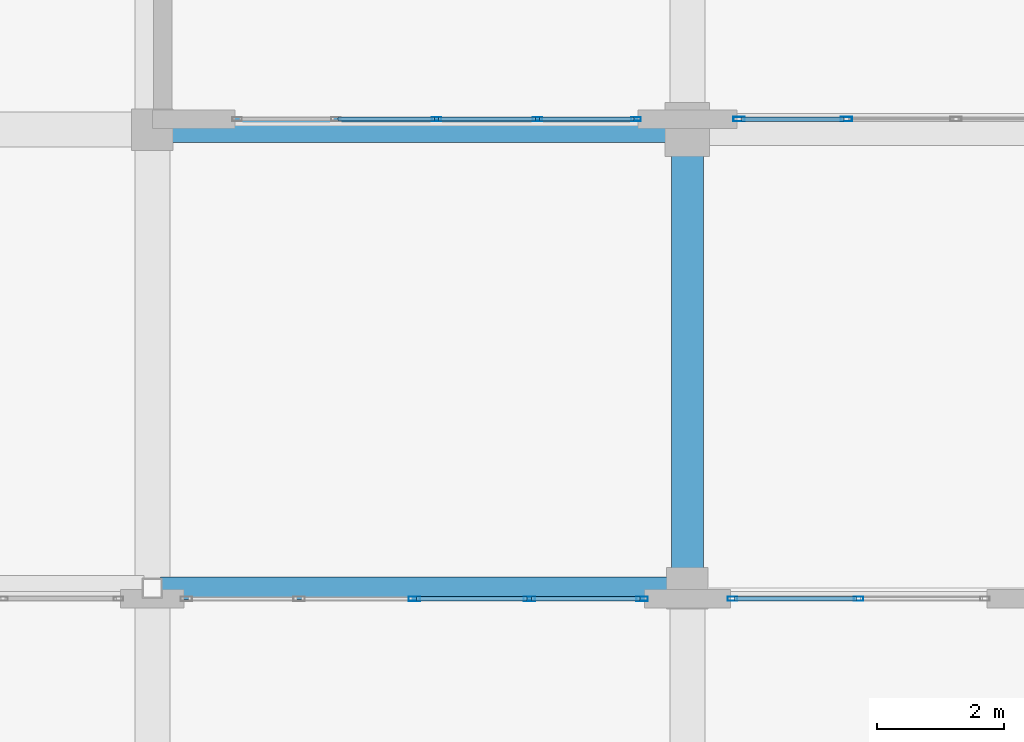
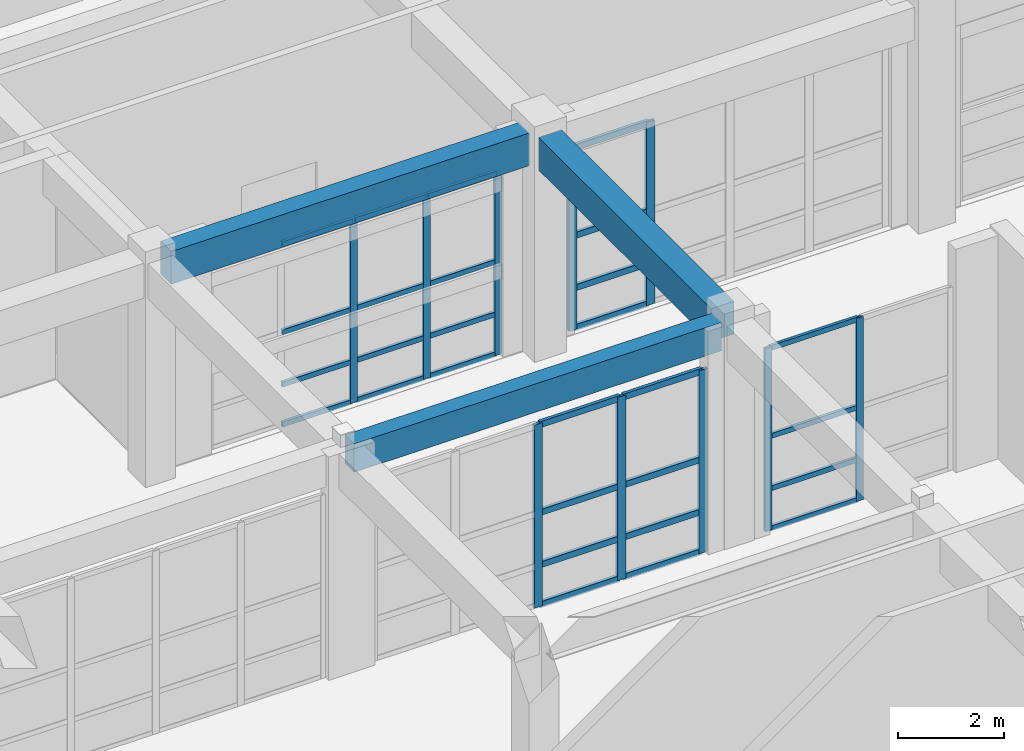
# One storey, part 77 of 148: 38 members, 3 beams, 4 elements without a shape of their own.
"""IFC4 building model written with IfcOpenShell, lengths in metres."""

from ifc_helpers import new_model, si_unit, direction, frame, origin, origin_2d, place, context, subcontext, project, spatial, rectangle, hollow_rectangle, extrude, material, layer, layer_set, material_profile, profile_set, type_object, element, aggregate, save


model = new_model("IFC4")

# Units and contexts
model_context = context("Model", 3, precision=1e-05, world=origin(), true_north=direction((0.0, 1.0)))
body_context = subcontext(model_context, "Body", "Model", "MODEL_VIEW")
ifc_project = project(units=[si_unit("LENGTHUNIT", "METRE"), si_unit("AREAUNIT", "SQUARE_METRE"), si_unit("VOLUMEUNIT", "CUBIC_METRE"), si_unit("PLANEANGLEUNIT", "RADIAN"), si_unit("MASSUNIT", "GRAM", prefix="KILO")], contexts=[model_context])

# Site, building, storey
site_placement = place(None, origin())
site = spatial("IfcSite", under=ifc_project, at=site_placement, CompositionType="ELEMENT")
building_placement = place(site_placement, origin())
building = spatial("IfcBuilding", under=site, at=building_placement, Name="Quendrovan Civic Courthouse", CompositionType="ELEMENT")
storey_placement = place(building_placement, origin())
storey = spatial("IfcBuildingStorey", under=building, at=storey_placement, Name="L01", CompositionType="ELEMENT", Elevation=0.0)

# Beams
ifc_material_1 = material(Name="Concrete C40/50", Category="concrete")
ifc_material_profile_1 = material_profile(ifc_material_1, rectangle(XDim=0.35009765625, YDim=0.64990234375, at=origin_2d()), Name="RC-BM-350x650")
ifc_profile_set_1 = profile_set([ifc_material_profile_1], Name="Concrete C40/50")
beam_type_1 = type_object("IfcBeamType", Name="BM-RC650B", PredefinedType="BEAM", material=ifc_profile_set_1)
beam_1_placement = place(storey_placement, frame((100.929931640625, 80.39990234375, 4.794921875), z_axis=(1.0, 0.0, 0.0), x_axis=(0.0, 1.0, 0.0)))
element("IfcBeam", 1, at=beam_1_placement, inside=storey, type_object=beam_type_1, Name="L01 Girder X0315", PredefinedType="BEAM", context=body_context, shape_type="SweptSolid", body=[
    extrude(rectangle(XDim=0.35009765625, YDim=0.64990234375, at=origin_2d()), origin(), (0.0, 0.0, 1.0), 7.965087890625),
])
ifc_material_profile_2 = material_profile(ifc_material_1, rectangle(XDim=0.5, YDim=0.75, at=origin_2d()), Name="RC-BM-500x750")
ifc_profile_set_2 = profile_set([ifc_material_profile_2], Name="Concrete C40/50")
beam_type_2 = type_object("IfcBeamType", Name="BM-RC750", PredefinedType="SPANDREL", material=ifc_profile_set_2)
beam_2_placement = place(storey_placement, frame((109.199951171875, 80.705078125, 4.7451171875), z_axis=(0.0, 1.0, 0.0), x_axis=(-1.0, 0.0, 0.0)))
element("IfcBeam", 2, at=beam_2_placement, inside=storey, type_object=beam_type_2, Name="L01 Girder Y0460", PredefinedType="SPANDREL", context=body_context, shape_type="SweptSolid", body=[
    extrude(rectangle(XDim=0.5, YDim=0.75, at=origin_2d()), origin(), (0.0, 0.0, 1.0), 6.489990234375),
])
ifc_material_profile_3 = material_profile(ifc_material_1, rectangle(XDim=0.39990234375, YDim=0.75, at=origin_2d()), Name="RC-BM-400x750")
ifc_profile_set_3 = profile_set([ifc_material_profile_3], Name="Concrete C40/50")
beam_type_3 = type_object("IfcBeamType", Name="BM-RC750B", PredefinedType="BEAM", material=ifc_profile_set_3)
beam_3_placement = place(storey_placement, frame((101.10498046875, 87.60009765625, 4.7451171875), z_axis=(1.0, 0.0, 0.0), x_axis=(0.0, 1.0, 0.0)))
element("IfcBeam", 3, at=beam_3_placement, inside=storey, type_object=beam_type_3, Name="L01 Girder X0324", PredefinedType="BEAM", context=body_context, shape_type="SweptSolid", body=[
    extrude(rectangle(XDim=0.39990234375, YDim=0.75, at=origin_2d()), origin(), (0.0, 0.0, 1.0), 7.76513671875),
])

# Curtain wall, members
ifc_material_2 = material(Name="Bronze anodised aluminium and low-E glass", Category="aluminium")
ifc_layer_1 = layer(ifc_material_2, 0.179931640625, Name="Bronze anodised aluminium and low-E glass")
ifc_layer_set_1 = layer_set([ifc_layer_1], Name="Bronze anodised aluminium and low-E glass")
curtain_wall_type_1 = type_object("IfcCurtainWallType", Name="CW-U69x42", PredefinedType="USERDEFINED", material=ifc_layer_set_1)
curtain_wall_1_placement = place(storey_placement, origin())
curtain_wall_1 = element("IfcCurtainWall", 4, at=curtain_wall_1_placement, inside=storey, type_object=curtain_wall_type_1, Name="L01 Unitised Hurricane Curtain Wall CW-048", ObjectType="UNITISED CURTAIN WALL", PredefinedType="USERDEFINED")
ifc_material_3 = material(Name="Bronze anodised aluminium", Category="aluminium")
ifc_material_profile_4 = material_profile(ifc_material_3, hollow_rectangle(XDim=0.070068359375, YDim=0.179931640625, WallThickness=0.00390625, at=origin_2d()), Name="CW-MULL-70x180")
ifc_profile_set_4 = profile_set([ifc_material_profile_4], Name="Bronze anodised aluminium")
member_type_1 = type_object("IfcMemberType", Name="CW-MULL-A", PredefinedType="MULLION", material=ifc_profile_set_4)
member_1_placement = place(storey_placement, frame((111.69384765625, 87.764892578125, 0.0), z_axis=(0.0, 0.0, 1.0), x_axis=(0.0, -1.0, 0.0)))
member_1 = element("IfcMember", 5, at=member_1_placement, type_object=member_type_1, Name="CW-048 mullion 4", PredefinedType="MULLION", context=body_context, shape_type="SweptSolid", body=[
    extrude(hollow_rectangle(XDim=0.070068359375, YDim=0.179931640625, WallThickness=0.00390625, at=origin_2d()), origin(), (0.0, 0.0, 1.0), 4.199951171875),
])
member_2_placement = place(storey_placement, frame((110.010009765625, 87.764892578125, 0.0), z_axis=(0.0, 0.0, 1.0), x_axis=(0.0, -1.0, 0.0)))
member_2 = element("IfcMember", 6, at=member_2_placement, type_object=member_type_1, Name="CW-048 mullion 5", PredefinedType="MULLION", context=body_context, shape_type="SweptSolid", body=[
    extrude(hollow_rectangle(XDim=0.070068359375, YDim=0.179931640625, WallThickness=0.00390625, at=origin_2d()), origin(), (0.0, 0.0, 1.0), 4.199951171875),
])

ifc_layer_2 = layer(ifc_material_2, 0.179931640625, Name="Bronze anodised aluminium and low-E glass")
ifc_layer_set_2 = layer_set([ifc_layer_2], Name="Bronze anodised aluminium and low-E glass")
curtain_wall_type_2 = type_object("IfcCurtainWallType", Name="CW-U72x42", PredefinedType="USERDEFINED", material=ifc_layer_set_2)
curtain_wall_2_placement = place(storey_placement, origin())
curtain_wall_2 = element("IfcCurtainWall", 7, at=curtain_wall_2_placement, inside=storey, type_object=curtain_wall_type_2, Name="L01 Unitised Hurricane Curtain Wall CW-054", ObjectType="UNITISED CURTAIN WALL", PredefinedType="USERDEFINED")
member_3_placement = place(storey_placement, frame((104.91259765625, 80.235107421875, 0.0), z_axis=(0.0, 0.0, 1.0), x_axis=(0.0, 1.0, 0.0)))
member_3 = element("IfcMember", 8, at=member_3_placement, type_object=member_type_1, Name="CW-054 mullion 3", PredefinedType="MULLION", context=body_context, shape_type="SweptSolid", body=[
    extrude(hollow_rectangle(XDim=0.070068359375, YDim=0.179931640625, WallThickness=0.00390625, at=origin_2d()), origin(), (0.0, 0.0, 1.0), 4.199951171875),
])
member_4_placement = place(storey_placement, frame((106.71875, 80.235107421875, 0.0), z_axis=(0.0, 0.0, 1.0), x_axis=(0.0, 1.0, 0.0)))
member_4 = element("IfcMember", 9, at=member_4_placement, type_object=member_type_1, Name="CW-054 mullion 4", PredefinedType="MULLION", context=body_context, shape_type="SweptSolid", body=[
    extrude(hollow_rectangle(XDim=0.070068359375, YDim=0.179931640625, WallThickness=0.00390625, at=origin_2d()), origin(), (0.0, 0.0, 1.0), 4.199951171875),
])
member_5_placement = place(storey_placement, frame((108.489990234375, 80.235107421875, 0.0), z_axis=(0.0, 0.0, 1.0), x_axis=(0.0, 1.0, 0.0)))
member_5 = element("IfcMember", 10, at=member_5_placement, type_object=member_type_1, Name="CW-054 mullion 5", PredefinedType="MULLION", context=body_context, shape_type="SweptSolid", body=[
    extrude(hollow_rectangle(XDim=0.070068359375, YDim=0.179931640625, WallThickness=0.00390625, at=origin_2d()), origin(), (0.0, 0.0, 1.0), 4.199951171875),
])

ifc_layer_3 = layer(ifc_material_2, 0.179931640625, Name="Bronze anodised aluminium and low-E glass")
ifc_layer_set_3 = layer_set([ifc_layer_3], Name="Bronze anodised aluminium and low-E glass")
curtain_wall_type_3 = type_object("IfcCurtainWallType", Name="CW-U63x42", PredefinedType="USERDEFINED", material=ifc_layer_set_3)
curtain_wall_3_placement = place(storey_placement, origin())
curtain_wall_3 = element("IfcCurtainWall", 11, at=curtain_wall_3_placement, inside=storey, type_object=curtain_wall_type_3, Name="L01 Unitised Hurricane Curtain Wall CW-049", ObjectType="UNITISED CURTAIN WALL", PredefinedType="USERDEFINED")
ifc_material_profile_5 = material_profile(ifc_material_3, hollow_rectangle(XDim=0.06494140625, YDim=0.14990234375, WallThickness=0.00390625, at=origin_2d()), Name="CW-MULL-65x150")
ifc_profile_set_5 = profile_set([ifc_material_profile_5], Name="Bronze anodised aluminium")
member_type_2 = type_object("IfcMemberType", Name="CW-MULL-B", PredefinedType="MULLION", material=ifc_profile_set_5)
member_6_placement = place(storey_placement, frame((108.392578125, 87.764892578125, 0.0), z_axis=(0.0, 0.0, 1.0), x_axis=(0.0, -1.0, 0.0)))
member_6 = element("IfcMember", 12, at=member_6_placement, type_object=member_type_2, Name="CW-049 mullion 1", PredefinedType="MULLION", context=body_context, shape_type="SweptSolid", body=[
    extrude(hollow_rectangle(XDim=0.06494140625, YDim=0.14990234375, WallThickness=0.00390625, at=origin_2d()), origin(), (0.0, 0.0, 1.0), 4.199951171875),
])
member_7_placement = place(storey_placement, frame((106.84375, 87.764892578125, 0.0), z_axis=(0.0, 0.0, 1.0), x_axis=(0.0, -1.0, 0.0)))
member_7 = element("IfcMember", 13, at=member_7_placement, type_object=member_type_2, Name="CW-049 mullion 2", PredefinedType="MULLION", context=body_context, shape_type="SweptSolid", body=[
    extrude(hollow_rectangle(XDim=0.06494140625, YDim=0.14990234375, WallThickness=0.00390625, at=origin_2d()), origin(), (0.0, 0.0, 1.0), 4.199951171875),
])
member_8_placement = place(storey_placement, frame((105.262451171875, 87.764892578125, 0.0), z_axis=(0.0, 0.0, 1.0), x_axis=(0.0, -1.0, 0.0)))
member_8 = element("IfcMember", 14, at=member_8_placement, type_object=member_type_2, Name="CW-049 mullion 3", PredefinedType="MULLION", context=body_context, shape_type="SweptSolid", body=[
    extrude(hollow_rectangle(XDim=0.06494140625, YDim=0.14990234375, WallThickness=0.00390625, at=origin_2d()), origin(), (0.0, 0.0, 1.0), 4.199951171875),
])

ifc_layer_4 = layer(ifc_material_2, 0.179931640625, Name="Bronze anodised aluminium and low-E glass")
ifc_layer_set_4 = layer_set([ifc_layer_4], Name="Bronze anodised aluminium and low-E glass")
curtain_wall_type_4 = type_object("IfcCurtainWallType", Name="CW-U40x42", PredefinedType="USERDEFINED", material=ifc_layer_set_4)
curtain_wall_4_placement = place(storey_placement, origin())
curtain_wall_4 = element("IfcCurtainWall", 15, at=curtain_wall_4_placement, inside=storey, type_object=curtain_wall_type_4, Name="L01 Unitised Hurricane Curtain Wall CW-055", ObjectType="UNITISED CURTAIN WALL", PredefinedType="USERDEFINED")
member_9_placement = place(storey_placement, frame((109.907470703125, 80.235107421875, 0.0), z_axis=(0.0, 0.0, 1.0), x_axis=(0.0, 1.0, 0.0)))
member_9 = element("IfcMember", 16, at=member_9_placement, type_object=member_type_2, Name="CW-055 mullion 1", PredefinedType="MULLION", context=body_context, shape_type="SweptSolid", body=[
    extrude(hollow_rectangle(XDim=0.06494140625, YDim=0.14990234375, WallThickness=0.00390625, at=origin_2d()), origin(), (0.0, 0.0, 1.0), 4.199951171875),
])
member_10_placement = place(storey_placement, frame((111.887451171875, 80.235107421875, 0.0), z_axis=(0.0, 0.0, 1.0), x_axis=(0.0, 1.0, 0.0)))
member_10 = element("IfcMember", 17, at=member_10_placement, type_object=member_type_2, Name="CW-055 mullion 2", PredefinedType="MULLION", context=body_context, shape_type="SweptSolid", body=[
    extrude(hollow_rectangle(XDim=0.06494140625, YDim=0.14990234375, WallThickness=0.00390625, at=origin_2d()), origin(), (0.0, 0.0, 1.0), 4.199951171875),
])

# Member
ifc_material_profile_6 = material_profile(ifc_material_3, hollow_rectangle(XDim=0.070068359375, YDim=0.139892578125, WallThickness=0.00390625, at=origin_2d()), Name="CW-TRAN-70x140")
ifc_profile_set_6 = profile_set([ifc_material_profile_6], Name="Bronze anodised aluminium")
member_type_3 = type_object("IfcMemberType", Name="CW-TRAN-A", PredefinedType="USERDEFINED", material=ifc_profile_set_6)
member_11_placement = place(storey_placement, frame((111.65869140625, 87.764892578125, 0.034912109375), z_axis=(-1.0, 0.0, 0.0), x_axis=(0.0, -1.0, 0.0)))
member_11 = element("IfcMember", 18, at=member_11_placement, type_object=member_type_3, Name="CW-048 transom 4.1", ObjectType="TRANSOM", PredefinedType="USERDEFINED", context=body_context, shape_type="SweptSolid", body=[
    extrude(hollow_rectangle(XDim=0.070068359375, YDim=0.139892578125, WallThickness=0.00390625, at=origin_2d()), origin(), (0.0, 0.0, 1.0), 1.61376953125),
])

member_12_placement = place(storey_placement, frame((111.65869140625, 87.764892578125, 0.949951171875), z_axis=(-1.0, 0.0, 0.0), x_axis=(0.0, -1.0, 0.0)))
member_12 = element("IfcMember", 19, at=member_12_placement, type_object=member_type_3, Name="CW-048 transom 4.2", ObjectType="TRANSOM", PredefinedType="USERDEFINED", context=body_context, shape_type="SweptSolid", body=[
    extrude(hollow_rectangle(XDim=0.070068359375, YDim=0.139892578125, WallThickness=0.00390625, at=origin_2d()), origin(), (0.0, 0.0, 1.0), 1.61376953125),
])

member_13_placement = place(storey_placement, frame((111.65869140625, 87.764892578125, 2.14990234375), z_axis=(-1.0, 0.0, 0.0), x_axis=(0.0, -1.0, 0.0)))
member_13 = element("IfcMember", 20, at=member_13_placement, type_object=member_type_3, Name="CW-048 transom 4.3", ObjectType="TRANSOM", PredefinedType="USERDEFINED", context=body_context, shape_type="SweptSolid", body=[
    extrude(hollow_rectangle(XDim=0.070068359375, YDim=0.139892578125, WallThickness=0.00390625, at=origin_2d()), origin(), (0.0, 0.0, 1.0), 1.61376953125),
])

member_14_placement = place(storey_placement, frame((111.65869140625, 87.764892578125, 4.1650390625), z_axis=(-1.0, 0.0, 0.0), x_axis=(0.0, -1.0, 0.0)))
member_14 = element("IfcMember", 21, at=member_14_placement, type_object=member_type_3, Name="CW-048 transom 4.4", ObjectType="TRANSOM", PredefinedType="USERDEFINED", context=body_context, shape_type="SweptSolid", body=[
    extrude(hollow_rectangle(XDim=0.070068359375, YDim=0.139892578125, WallThickness=0.00390625, at=origin_2d()), origin(), (0.0, 0.0, 1.0), 1.61376953125),
])

aggregate(curtain_wall_1, [member_1, member_2, member_11, member_12, member_13, member_14])

member_15_placement = place(storey_placement, frame((104.947509765625, 80.235107421875, 0.034912109375), z_axis=(1.0, 0.0, 0.0), x_axis=(0.0, 1.0, 0.0)))
member_15 = element("IfcMember", 22, at=member_15_placement, type_object=member_type_3, Name="CW-054 transom 3.1", ObjectType="TRANSOM", PredefinedType="USERDEFINED", context=body_context, shape_type="SweptSolid", body=[
    extrude(hollow_rectangle(XDim=0.070068359375, YDim=0.139892578125, WallThickness=0.00390625, at=origin_2d()), origin(), (0.0, 0.0, 1.0), 1.736328125),
])

member_16_placement = place(storey_placement, frame((104.947509765625, 80.235107421875, 0.949951171875), z_axis=(1.0, 0.0, 0.0), x_axis=(0.0, 1.0, 0.0)))
member_16 = element("IfcMember", 23, at=member_16_placement, type_object=member_type_3, Name="CW-054 transom 3.2", ObjectType="TRANSOM", PredefinedType="USERDEFINED", context=body_context, shape_type="SweptSolid", body=[
    extrude(hollow_rectangle(XDim=0.070068359375, YDim=0.139892578125, WallThickness=0.00390625, at=origin_2d()), origin(), (0.0, 0.0, 1.0), 1.736328125),
])

member_17_placement = place(storey_placement, frame((104.947509765625, 80.235107421875, 2.14990234375), z_axis=(1.0, 0.0, 0.0), x_axis=(0.0, 1.0, 0.0)))
member_17 = element("IfcMember", 24, at=member_17_placement, type_object=member_type_3, Name="CW-054 transom 3.3", ObjectType="TRANSOM", PredefinedType="USERDEFINED", context=body_context, shape_type="SweptSolid", body=[
    extrude(hollow_rectangle(XDim=0.070068359375, YDim=0.139892578125, WallThickness=0.00390625, at=origin_2d()), origin(), (0.0, 0.0, 1.0), 1.736328125),
])

member_18_placement = place(storey_placement, frame((104.947509765625, 80.235107421875, 4.1650390625), z_axis=(1.0, 0.0, 0.0), x_axis=(0.0, 1.0, 0.0)))
member_18 = element("IfcMember", 25, at=member_18_placement, type_object=member_type_3, Name="CW-054 transom 3.4", ObjectType="TRANSOM", PredefinedType="USERDEFINED", context=body_context, shape_type="SweptSolid", body=[
    extrude(hollow_rectangle(XDim=0.070068359375, YDim=0.139892578125, WallThickness=0.00390625, at=origin_2d()), origin(), (0.0, 0.0, 1.0), 1.736328125),
])

member_19_placement = place(storey_placement, frame((106.753662109375, 80.235107421875, 0.034912109375), z_axis=(1.0, 0.0, 0.0), x_axis=(0.0, 1.0, 0.0)))
member_19 = element("IfcMember", 26, at=member_19_placement, type_object=member_type_3, Name="CW-054 transom 4.1", ObjectType="TRANSOM", PredefinedType="USERDEFINED", context=body_context, shape_type="SweptSolid", body=[
    extrude(hollow_rectangle(XDim=0.070068359375, YDim=0.139892578125, WallThickness=0.00390625, at=origin_2d()), origin(), (0.0, 0.0, 1.0), 1.701416015625),
])

member_20_placement = place(storey_placement, frame((106.753662109375, 80.235107421875, 0.949951171875), z_axis=(1.0, 0.0, 0.0), x_axis=(0.0, 1.0, 0.0)))
member_20 = element("IfcMember", 27, at=member_20_placement, type_object=member_type_3, Name="CW-054 transom 4.2", ObjectType="TRANSOM", PredefinedType="USERDEFINED", context=body_context, shape_type="SweptSolid", body=[
    extrude(hollow_rectangle(XDim=0.070068359375, YDim=0.139892578125, WallThickness=0.00390625, at=origin_2d()), origin(), (0.0, 0.0, 1.0), 1.701416015625),
])

member_21_placement = place(storey_placement, frame((106.753662109375, 80.235107421875, 2.14990234375), z_axis=(1.0, 0.0, 0.0), x_axis=(0.0, 1.0, 0.0)))
member_21 = element("IfcMember", 28, at=member_21_placement, type_object=member_type_3, Name="CW-054 transom 4.3", ObjectType="TRANSOM", PredefinedType="USERDEFINED", context=body_context, shape_type="SweptSolid", body=[
    extrude(hollow_rectangle(XDim=0.070068359375, YDim=0.139892578125, WallThickness=0.00390625, at=origin_2d()), origin(), (0.0, 0.0, 1.0), 1.701416015625),
])

member_22_placement = place(storey_placement, frame((106.753662109375, 80.235107421875, 4.1650390625), z_axis=(1.0, 0.0, 0.0), x_axis=(0.0, 1.0, 0.0)))
member_22 = element("IfcMember", 29, at=member_22_placement, type_object=member_type_3, Name="CW-054 transom 4.4", ObjectType="TRANSOM", PredefinedType="USERDEFINED", context=body_context, shape_type="SweptSolid", body=[
    extrude(hollow_rectangle(XDim=0.070068359375, YDim=0.139892578125, WallThickness=0.00390625, at=origin_2d()), origin(), (0.0, 0.0, 1.0), 1.701416015625),
])

aggregate(curtain_wall_2, [member_3, member_4, member_5, member_15, member_16, member_17, member_18, member_19, member_20, member_21, member_22])

ifc_material_profile_7 = material_profile(ifc_material_3, hollow_rectangle(XDim=0.06494140625, YDim=0.114990234375, WallThickness=0.00390625, at=origin_2d()), Name="CW-TRAN-65x115")
ifc_profile_set_7 = profile_set([ifc_material_profile_7], Name="Bronze anodised aluminium")
member_type_4 = type_object("IfcMemberType", Name="CW-TRAN-B", PredefinedType="USERDEFINED", material=ifc_profile_set_7)
member_23_placement = place(storey_placement, frame((108.360107421875, 87.764892578125, 0.032470703125), z_axis=(-1.0, 0.0, 0.0), x_axis=(0.0, -1.0, 0.0)))
member_23 = element("IfcMember", 30, at=member_23_placement, type_object=member_type_4, Name="CW-049 transom 1.1", ObjectType="TRANSOM", PredefinedType="USERDEFINED", context=body_context, shape_type="SweptSolid", body=[
    extrude(hollow_rectangle(XDim=0.06494140625, YDim=0.114990234375, WallThickness=0.00390625, at=origin_2d()), origin(), (0.0, 0.0, 1.0), 1.48388671875),
])

member_24_placement = place(storey_placement, frame((108.360107421875, 87.764892578125, 0.949951171875), z_axis=(-1.0, 0.0, 0.0), x_axis=(0.0, -1.0, 0.0)))
member_24 = element("IfcMember", 31, at=member_24_placement, type_object=member_type_4, Name="CW-049 transom 1.2", ObjectType="TRANSOM", PredefinedType="USERDEFINED", context=body_context, shape_type="SweptSolid", body=[
    extrude(hollow_rectangle(XDim=0.06494140625, YDim=0.114990234375, WallThickness=0.00390625, at=origin_2d()), origin(), (0.0, 0.0, 1.0), 1.48388671875),
])

member_25_placement = place(storey_placement, frame((108.360107421875, 87.764892578125, 2.14990234375), z_axis=(-1.0, 0.0, 0.0), x_axis=(0.0, -1.0, 0.0)))
member_25 = element("IfcMember", 32, at=member_25_placement, type_object=member_type_4, Name="CW-049 transom 1.3", ObjectType="TRANSOM", PredefinedType="USERDEFINED", context=body_context, shape_type="SweptSolid", body=[
    extrude(hollow_rectangle(XDim=0.06494140625, YDim=0.114990234375, WallThickness=0.00390625, at=origin_2d()), origin(), (0.0, 0.0, 1.0), 1.48388671875),
])

member_26_placement = place(storey_placement, frame((108.360107421875, 87.764892578125, 4.16748046875), z_axis=(-1.0, 0.0, 0.0), x_axis=(0.0, -1.0, 0.0)))
member_26 = element("IfcMember", 33, at=member_26_placement, type_object=member_type_4, Name="CW-049 transom 1.4", ObjectType="TRANSOM", PredefinedType="USERDEFINED", context=body_context, shape_type="SweptSolid", body=[
    extrude(hollow_rectangle(XDim=0.06494140625, YDim=0.114990234375, WallThickness=0.00390625, at=origin_2d()), origin(), (0.0, 0.0, 1.0), 1.48388671875),
])

member_27_placement = place(storey_placement, frame((106.811279296875, 87.764892578125, 0.032470703125), z_axis=(-1.0, 0.0, 0.0), x_axis=(0.0, -1.0, 0.0)))
member_27 = element("IfcMember", 34, at=member_27_placement, type_object=member_type_4, Name="CW-049 transom 2.1", ObjectType="TRANSOM", PredefinedType="USERDEFINED", context=body_context, shape_type="SweptSolid", body=[
    extrude(hollow_rectangle(XDim=0.06494140625, YDim=0.114990234375, WallThickness=0.00390625, at=origin_2d()), origin(), (0.0, 0.0, 1.0), 1.516357421875),
])

member_28_placement = place(storey_placement, frame((106.811279296875, 87.764892578125, 0.949951171875), z_axis=(-1.0, 0.0, 0.0), x_axis=(0.0, -1.0, 0.0)))
member_28 = element("IfcMember", 35, at=member_28_placement, type_object=member_type_4, Name="CW-049 transom 2.2", ObjectType="TRANSOM", PredefinedType="USERDEFINED", context=body_context, shape_type="SweptSolid", body=[
    extrude(hollow_rectangle(XDim=0.06494140625, YDim=0.114990234375, WallThickness=0.00390625, at=origin_2d()), origin(), (0.0, 0.0, 1.0), 1.516357421875),
])

member_29_placement = place(storey_placement, frame((106.811279296875, 87.764892578125, 2.14990234375), z_axis=(-1.0, 0.0, 0.0), x_axis=(0.0, -1.0, 0.0)))
member_29 = element("IfcMember", 36, at=member_29_placement, type_object=member_type_4, Name="CW-049 transom 2.3", ObjectType="TRANSOM", PredefinedType="USERDEFINED", context=body_context, shape_type="SweptSolid", body=[
    extrude(hollow_rectangle(XDim=0.06494140625, YDim=0.114990234375, WallThickness=0.00390625, at=origin_2d()), origin(), (0.0, 0.0, 1.0), 1.516357421875),
])

member_30_placement = place(storey_placement, frame((106.811279296875, 87.764892578125, 4.16748046875), z_axis=(-1.0, 0.0, 0.0), x_axis=(0.0, -1.0, 0.0)))
member_30 = element("IfcMember", 37, at=member_30_placement, type_object=member_type_4, Name="CW-049 transom 2.4", ObjectType="TRANSOM", PredefinedType="USERDEFINED", context=body_context, shape_type="SweptSolid", body=[
    extrude(hollow_rectangle(XDim=0.06494140625, YDim=0.114990234375, WallThickness=0.00390625, at=origin_2d()), origin(), (0.0, 0.0, 1.0), 1.516357421875),
])

member_31_placement = place(storey_placement, frame((105.22998046875, 87.764892578125, 0.032470703125), z_axis=(-1.0, 0.0, 0.0), x_axis=(0.0, -1.0, 0.0)))
member_31 = element("IfcMember", 38, at=member_31_placement, type_object=member_type_4, Name="CW-049 transom 3.1", ObjectType="TRANSOM", PredefinedType="USERDEFINED", context=body_context, shape_type="SweptSolid", body=[
    extrude(hollow_rectangle(XDim=0.06494140625, YDim=0.114990234375, WallThickness=0.00390625, at=origin_2d()), origin(), (0.0, 0.0, 1.0), 1.51611328125),
])

member_32_placement = place(storey_placement, frame((105.22998046875, 87.764892578125, 0.949951171875), z_axis=(-1.0, 0.0, 0.0), x_axis=(0.0, -1.0, 0.0)))
member_32 = element("IfcMember", 39, at=member_32_placement, type_object=member_type_4, Name="CW-049 transom 3.2", ObjectType="TRANSOM", PredefinedType="USERDEFINED", context=body_context, shape_type="SweptSolid", body=[
    extrude(hollow_rectangle(XDim=0.06494140625, YDim=0.114990234375, WallThickness=0.00390625, at=origin_2d()), origin(), (0.0, 0.0, 1.0), 1.51611328125),
])

member_33_placement = place(storey_placement, frame((105.22998046875, 87.764892578125, 2.14990234375), z_axis=(-1.0, 0.0, 0.0), x_axis=(0.0, -1.0, 0.0)))
member_33 = element("IfcMember", 40, at=member_33_placement, type_object=member_type_4, Name="CW-049 transom 3.3", ObjectType="TRANSOM", PredefinedType="USERDEFINED", context=body_context, shape_type="SweptSolid", body=[
    extrude(hollow_rectangle(XDim=0.06494140625, YDim=0.114990234375, WallThickness=0.00390625, at=origin_2d()), origin(), (0.0, 0.0, 1.0), 1.51611328125),
])

member_34_placement = place(storey_placement, frame((105.22998046875, 87.764892578125, 4.16748046875), z_axis=(-1.0, 0.0, 0.0), x_axis=(0.0, -1.0, 0.0)))
member_34 = element("IfcMember", 41, at=member_34_placement, type_object=member_type_4, Name="CW-049 transom 3.4", ObjectType="TRANSOM", PredefinedType="USERDEFINED", context=body_context, shape_type="SweptSolid", body=[
    extrude(hollow_rectangle(XDim=0.06494140625, YDim=0.114990234375, WallThickness=0.00390625, at=origin_2d()), origin(), (0.0, 0.0, 1.0), 1.51611328125),
])

aggregate(curtain_wall_3, [member_6, member_7, member_8, member_23, member_24, member_25, member_26, member_27, member_28, member_29, member_30, member_31, member_32, member_33, member_34])

member_35_placement = place(storey_placement, frame((109.93994140625, 80.235107421875, 0.032470703125), z_axis=(1.0, 0.0, 0.0), x_axis=(0.0, 1.0, 0.0)))
member_35 = element("IfcMember", 42, at=member_35_placement, type_object=member_type_4, Name="CW-055 transom 1.1", ObjectType="TRANSOM", PredefinedType="USERDEFINED", context=body_context, shape_type="SweptSolid", body=[
    extrude(hollow_rectangle(XDim=0.06494140625, YDim=0.114990234375, WallThickness=0.00390625, at=origin_2d()), origin(), (0.0, 0.0, 1.0), 1.9150390625),
])

member_36_placement = place(storey_placement, frame((109.93994140625, 80.235107421875, 0.949951171875), z_axis=(1.0, 0.0, 0.0), x_axis=(0.0, 1.0, 0.0)))
member_36 = element("IfcMember", 43, at=member_36_placement, type_object=member_type_4, Name="CW-055 transom 1.2", ObjectType="TRANSOM", PredefinedType="USERDEFINED", context=body_context, shape_type="SweptSolid", body=[
    extrude(hollow_rectangle(XDim=0.06494140625, YDim=0.114990234375, WallThickness=0.00390625, at=origin_2d()), origin(), (0.0, 0.0, 1.0), 1.9150390625),
])

member_37_placement = place(storey_placement, frame((109.93994140625, 80.235107421875, 2.14990234375), z_axis=(1.0, 0.0, 0.0), x_axis=(0.0, 1.0, 0.0)))
member_37 = element("IfcMember", 44, at=member_37_placement, type_object=member_type_4, Name="CW-055 transom 1.3", ObjectType="TRANSOM", PredefinedType="USERDEFINED", context=body_context, shape_type="SweptSolid", body=[
    extrude(hollow_rectangle(XDim=0.06494140625, YDim=0.114990234375, WallThickness=0.00390625, at=origin_2d()), origin(), (0.0, 0.0, 1.0), 1.9150390625),
])

member_38_placement = place(storey_placement, frame((109.93994140625, 80.235107421875, 4.16748046875), z_axis=(1.0, 0.0, 0.0), x_axis=(0.0, 1.0, 0.0)))
member_38 = element("IfcMember", 45, at=member_38_placement, type_object=member_type_4, Name="CW-055 transom 1.4", ObjectType="TRANSOM", PredefinedType="USERDEFINED", context=body_context, shape_type="SweptSolid", body=[
    extrude(hollow_rectangle(XDim=0.06494140625, YDim=0.114990234375, WallThickness=0.00390625, at=origin_2d()), origin(), (0.0, 0.0, 1.0), 1.9150390625),
])

aggregate(curtain_wall_4, [member_9, member_10, member_35, member_36, member_37, member_38])

save(model, "model.ifc")
